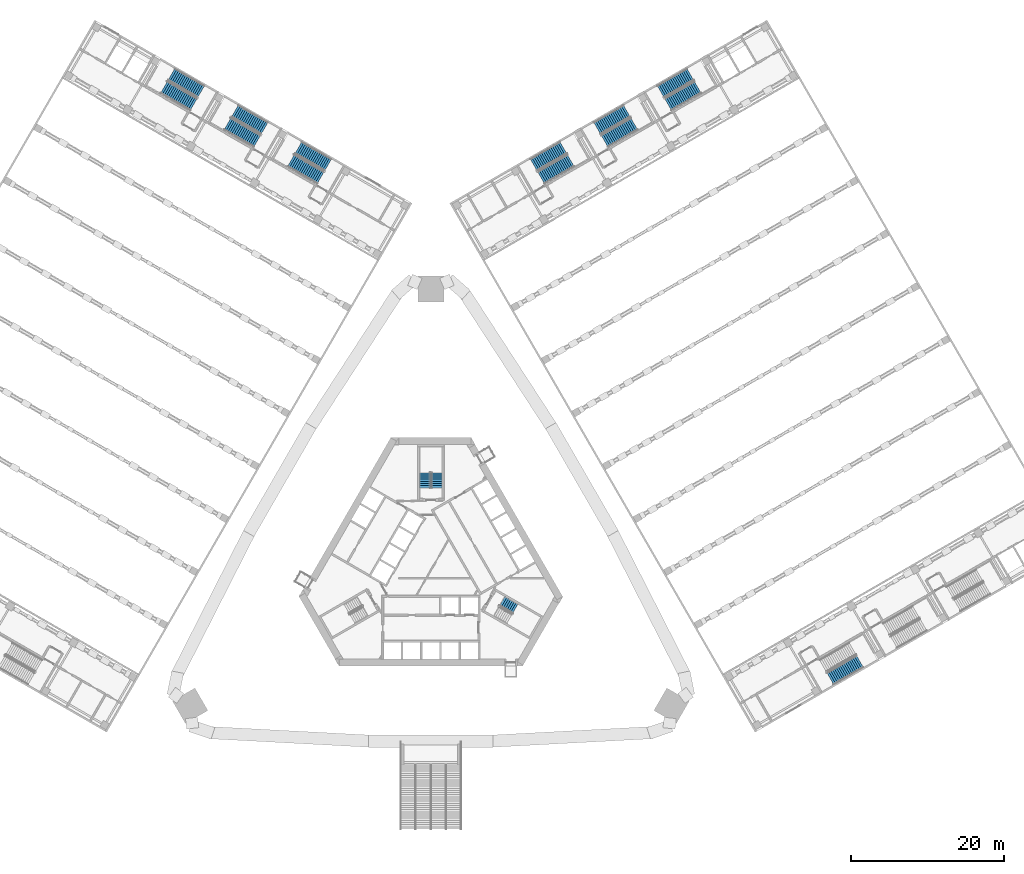
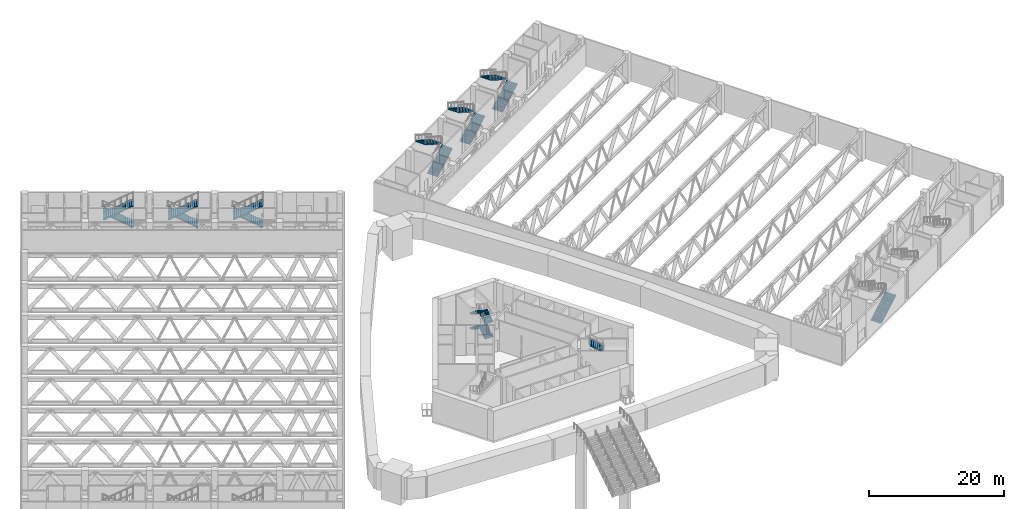
# One storey, part 25 of 37: 18 stair flights, 9 elements without a shape of their own.
"""IFC4 building model written with IfcOpenShell, lengths in metres."""

from ifc_helpers import new_model, si_unit, direction, frame, origin, place, context, subcontext, project, spatial, polyline, outline, extrude, material, type_object, element, aggregate, save


model = new_model("IFC4")

# Units and contexts
model_context = context("Model", 3, precision=1e-05, world=origin(), true_north=direction((0.0, 1.0)))
body_context = subcontext(model_context, "Body", "Model", "MODEL_VIEW")
ifc_project = project(units=[si_unit("LENGTHUNIT", "METRE"), si_unit("AREAUNIT", "SQUARE_METRE"), si_unit("VOLUMEUNIT", "CUBIC_METRE"), si_unit("PLANEANGLEUNIT", "RADIAN"), si_unit("MASSUNIT", "GRAM", prefix="KILO")], contexts=[model_context])

# Site, building, storey
site_placement = place(None, origin())
site = spatial("IfcSite", under=ifc_project, at=site_placement, CompositionType="ELEMENT")
building_placement = place(site_placement, origin())
building = spatial("IfcBuilding", under=site, at=building_placement, Name="Mestral Congress Tower", CompositionType="ELEMENT")
storey_placement = place(building_placement, frame((0.0, 0.0, 16.199951171875)))
storey = spatial("IfcBuildingStorey", under=building, at=storey_placement, Name="L03", CompositionType="ELEMENT", Elevation=16.199951171875)

# Stair, stair flight
ifc_material_1 = material(Name="Concrete C60/75", Category="concrete")
stair_type_1 = type_object("IfcStairType", Name="Exit stair 1400", PredefinedType="HALF_TURN_STAIR", material=ifc_material_1)
placement = place(storey_placement, origin())
stair_1 = element("IfcStair", 1, at=placement, inside=storey, type_object=stair_type_1, Name="L03 ST1", PredefinedType="HALF_TURN_STAIR")
stair_flight_type_1 = type_object("IfcStairFlightType", Name="Exit stair flight 1400", PredefinedType="STRAIGHT", material=ifc_material_1)
stair_flight_1_placement = place(storey_placement, frame((11.04833984375, -5.48388671875, 4.050048828125), z_axis=(0.0, 0.0, 1.0), x_axis=(-0.866025403784, 0.5, 0.0)))
stair_flight_1 = element("IfcStairFlight", 2, at=stair_flight_1_placement, type_object=stair_flight_type_1, Name="ST1 flight 4", NumberOfRisers=8, NumberOfTreads=7, PredefinedType="STRAIGHT", RiserHeight=0.16875, TreadLength=0.28, context=body_context, shape_type="SweptSolid", body=[
    extrude(outline(polyline([(0.0, 0.0), (0.0, 0.168701171875), (0.280029296875, 0.168701171875), (0.280029296875, 0.33740234375), (0.56005859375, 0.33740234375), (0.56005859375, 0.50634765625), (0.840087890625, 0.50634765625), (0.840087890625, 0.675048828125), (1.1201171875, 0.675048828125), (1.1201171875, 0.84375), (1.39990234375, 0.84375), (1.39990234375, 1.012451171875), (1.679931640625, 1.012451171875), (1.679931640625, 1.18115234375), (1.9599609375, 1.18115234375), (1.9599609375, 1.35009765625), (1.9599609375, 1.00634765625), (0.29052734375, 0.0), (0.0, 0.0)])), frame((0.0, 0.699951171875, 0.0), z_axis=(0.0, -1.0, 0.0), x_axis=(1.0, 0.0, 0.0)), (0.0, 0.0, 1.0), 0.700927734375),
    extrude(outline(polyline([(0.0, 0.0), (0.0, 0.168701171875), (0.280029296875, 0.168701171875), (0.280029296875, 0.33740234375), (0.56005859375, 0.33740234375), (0.56005859375, 0.50634765625), (0.840087890625, 0.50634765625), (0.840087890625, 0.675048828125), (1.1201171875, 0.675048828125), (1.1201171875, 0.84375), (1.39990234375, 0.84375), (1.39990234375, 1.012451171875), (1.679931640625, 1.012451171875), (1.679931640625, 1.18115234375), (1.9599609375, 1.18115234375), (1.9599609375, 1.35009765625), (1.9599609375, 1.00634765625), (0.29052734375, 0.0), (0.0, 0.0)])), frame((0.0, 0.0009765625, 0.0), z_axis=(0.0, -1.0, 0.0), x_axis=(1.0, 0.0, 0.0)), (0.0, 0.0, 1.0), 0.700927734375),
])
aggregate(stair_1, [stair_flight_1])

# Stair, stair flights
stair_2 = element("IfcStair", 3, at=placement, inside=storey, type_object=stair_type_1, Name="L03 ST2", PredefinedType="HALF_TURN_STAIR")
stair_flight_2_placement = place(storey_placement, frame((0.77490234375, 10.35009765625, 0.0), z_axis=(0.0, 0.0, 1.0), x_axis=(0.0, 1.0, 0.0)))
stair_flight_2 = element("IfcStairFlight", 4, at=stair_flight_2_placement, type_object=stair_flight_type_1, Name="ST2 flight 1", NumberOfRisers=8, NumberOfTreads=7, PredefinedType="STRAIGHT", RiserHeight=0.16875, TreadLength=0.28, context=body_context, shape_type="SweptSolid", body=[
    extrude(outline(polyline([(0.0, 0.0), (0.0, 0.168701171875), (0.280029296875, 0.168701171875), (0.280029296875, 0.33740234375), (0.56005859375, 0.33740234375), (0.56005859375, 0.50634765625), (0.840087890625, 0.50634765625), (0.840087890625, 0.675048828125), (1.1201171875, 0.675048828125), (1.1201171875, 0.84375), (1.39990234375, 0.84375), (1.39990234375, 1.012451171875), (1.679931640625, 1.012451171875), (1.679931640625, 1.18115234375), (1.9599609375, 1.18115234375), (1.9599609375, 1.35009765625), (1.9599609375, 1.00634765625), (0.29052734375, 0.0), (0.0, 0.0)])), frame((0.0, 0.699951171875, 0.0), z_axis=(0.0, -1.0, 0.0), x_axis=(1.0, 0.0, 0.0)), (0.0, 0.0, 1.0), 0.700927734375),
    extrude(outline(polyline([(0.0, 0.0), (0.0, 0.168701171875), (0.280029296875, 0.168701171875), (0.280029296875, 0.33740234375), (0.56005859375, 0.33740234375), (0.56005859375, 0.50634765625), (0.840087890625, 0.50634765625), (0.840087890625, 0.675048828125), (1.1201171875, 0.675048828125), (1.1201171875, 0.84375), (1.39990234375, 0.84375), (1.39990234375, 1.012451171875), (1.679931640625, 1.012451171875), (1.679931640625, 1.18115234375), (1.9599609375, 1.18115234375), (1.9599609375, 1.35009765625), (1.9599609375, 1.00634765625), (0.29052734375, 0.0), (0.0, 0.0)])), frame((0.0, 0.0009765625, 0.0), z_axis=(0.0, -1.0, 0.0), x_axis=(1.0, 0.0, 0.0)), (0.0, 0.0, 1.0), 0.700927734375),
])
stair_flight_3_placement = place(storey_placement, frame((-0.77490234375, 12.31005859375, 1.35009765625), z_axis=(0.0, 0.0, 1.0), x_axis=(0.0, -1.0, 0.0)))
stair_flight_3 = element("IfcStairFlight", 5, at=stair_flight_3_placement, type_object=stair_flight_type_1, Name="ST2 flight 2", NumberOfRisers=8, NumberOfTreads=7, PredefinedType="STRAIGHT", RiserHeight=0.16875, TreadLength=0.28, context=body_context, shape_type="SweptSolid", body=[
    extrude(outline(polyline([(0.0, 0.0), (0.0, 0.168701171875), (0.280029296875, 0.168701171875), (0.280029296875, 0.33740234375), (0.56005859375, 0.33740234375), (0.56005859375, 0.50634765625), (0.840087890625, 0.50634765625), (0.840087890625, 0.675048828125), (1.1201171875, 0.675048828125), (1.1201171875, 0.84375), (1.39990234375, 0.84375), (1.39990234375, 1.012451171875), (1.679931640625, 1.012451171875), (1.679931640625, 1.18115234375), (1.9599609375, 1.18115234375), (1.9599609375, 1.35009765625), (1.9599609375, 1.00634765625), (0.29052734375, 0.0), (0.0, 0.0)])), frame((0.0, 0.699951171875, 0.0), z_axis=(0.0, -1.0, 0.0), x_axis=(1.0, 0.0, 0.0)), (0.0, 0.0, 1.0), 0.700927734375),
    extrude(outline(polyline([(0.0, 0.0), (0.0, 0.168701171875), (0.280029296875, 0.168701171875), (0.280029296875, 0.33740234375), (0.56005859375, 0.33740234375), (0.56005859375, 0.50634765625), (0.840087890625, 0.50634765625), (0.840087890625, 0.675048828125), (1.1201171875, 0.675048828125), (1.1201171875, 0.84375), (1.39990234375, 0.84375), (1.39990234375, 1.012451171875), (1.679931640625, 1.012451171875), (1.679931640625, 1.18115234375), (1.9599609375, 1.18115234375), (1.9599609375, 1.35009765625), (1.9599609375, 1.00634765625), (0.29052734375, 0.0), (0.0, 0.0)])), frame((0.0, 0.0009765625, 0.0), z_axis=(0.0, -1.0, 0.0), x_axis=(1.0, 0.0, 0.0)), (0.0, 0.0, 1.0), 0.700927734375),
])
stair_flight_4_placement = place(storey_placement, frame((0.77490234375, 10.35009765625, 2.699951171875), z_axis=(0.0, 0.0, 1.0), x_axis=(0.0, 1.0, 0.0)))
stair_flight_4 = element("IfcStairFlight", 6, at=stair_flight_4_placement, type_object=stair_flight_type_1, Name="ST2 flight 3", NumberOfRisers=8, NumberOfTreads=7, PredefinedType="STRAIGHT", RiserHeight=0.16875, TreadLength=0.28, context=body_context, shape_type="SweptSolid", body=[
    extrude(outline(polyline([(0.0, 0.0), (0.0, 0.168701171875), (0.280029296875, 0.168701171875), (0.280029296875, 0.33740234375), (0.56005859375, 0.33740234375), (0.56005859375, 0.50634765625), (0.840087890625, 0.50634765625), (0.840087890625, 0.675048828125), (1.1201171875, 0.675048828125), (1.1201171875, 0.84375), (1.39990234375, 0.84375), (1.39990234375, 1.012451171875), (1.679931640625, 1.012451171875), (1.679931640625, 1.18115234375), (1.9599609375, 1.18115234375), (1.9599609375, 1.35009765625), (1.9599609375, 1.00634765625), (0.29052734375, 0.0), (0.0, 0.0)])), frame((0.0, 0.699951171875, 0.0), z_axis=(0.0, -1.0, 0.0), x_axis=(1.0, 0.0, 0.0)), (0.0, 0.0, 1.0), 0.700927734375),
    extrude(outline(polyline([(0.0, 0.0), (0.0, 0.168701171875), (0.280029296875, 0.168701171875), (0.280029296875, 0.33740234375), (0.56005859375, 0.33740234375), (0.56005859375, 0.50634765625), (0.840087890625, 0.50634765625), (0.840087890625, 0.675048828125), (1.1201171875, 0.675048828125), (1.1201171875, 0.84375), (1.39990234375, 0.84375), (1.39990234375, 1.012451171875), (1.679931640625, 1.012451171875), (1.679931640625, 1.18115234375), (1.9599609375, 1.18115234375), (1.9599609375, 1.35009765625), (1.9599609375, 1.00634765625), (0.29052734375, 0.0), (0.0, 0.0)])), frame((0.0, 0.0009765625, 0.0), z_axis=(0.0, -1.0, 0.0), x_axis=(1.0, 0.0, 0.0)), (0.0, 0.0, 1.0), 0.700927734375),
])
stair_flight_5_placement = place(storey_placement, frame((-0.77490234375, 12.31005859375, 4.050048828125), z_axis=(0.0, 0.0, 1.0), x_axis=(0.0, -1.0, 0.0)))
stair_flight_5 = element("IfcStairFlight", 7, at=stair_flight_5_placement, type_object=stair_flight_type_1, Name="ST2 flight 4", NumberOfRisers=8, NumberOfTreads=7, PredefinedType="STRAIGHT", RiserHeight=0.16875, TreadLength=0.28, context=body_context, shape_type="SweptSolid", body=[
    extrude(outline(polyline([(0.0, 0.0), (0.0, 0.168701171875), (0.280029296875, 0.168701171875), (0.280029296875, 0.33740234375), (0.56005859375, 0.33740234375), (0.56005859375, 0.50634765625), (0.840087890625, 0.50634765625), (0.840087890625, 0.675048828125), (1.1201171875, 0.675048828125), (1.1201171875, 0.84375), (1.39990234375, 0.84375), (1.39990234375, 1.012451171875), (1.679931640625, 1.012451171875), (1.679931640625, 1.18115234375), (1.9599609375, 1.18115234375), (1.9599609375, 1.35009765625), (1.9599609375, 1.00634765625), (0.29052734375, 0.0), (0.0, 0.0)])), frame((0.0, 0.699951171875, 0.0), z_axis=(0.0, -1.0, 0.0), x_axis=(1.0, 0.0, 0.0)), (0.0, 0.0, 1.0), 0.700927734375),
    extrude(outline(polyline([(0.0, 0.0), (0.0, 0.168701171875), (0.280029296875, 0.168701171875), (0.280029296875, 0.33740234375), (0.56005859375, 0.33740234375), (0.56005859375, 0.50634765625), (0.840087890625, 0.50634765625), (0.840087890625, 0.675048828125), (1.1201171875, 0.675048828125), (1.1201171875, 0.84375), (1.39990234375, 0.84375), (1.39990234375, 1.012451171875), (1.679931640625, 1.012451171875), (1.679931640625, 1.18115234375), (1.9599609375, 1.18115234375), (1.9599609375, 1.35009765625), (1.9599609375, 1.00634765625), (0.29052734375, 0.0), (0.0, 0.0)])), frame((0.0, 0.0009765625, 0.0), z_axis=(0.0, -1.0, 0.0), x_axis=(1.0, 0.0, 0.0)), (0.0, 0.0, 1.0), 0.700927734375),
])
aggregate(stair_2, [stair_flight_2, stair_flight_3, stair_flight_4, stair_flight_5])

# Stair, stair flight
ifc_material_2 = material(Name="Concrete C40/50", Category="concrete")
stair_type_2 = type_object("IfcStairType", Name="Podium exit stair 1800", PredefinedType="HALF_TURN_STAIR", material=ifc_material_2)
stair_3 = element("IfcStair", 8, at=placement, inside=storey, type_object=stair_type_2, Name="L03 Exit stair E1", PredefinedType="HALF_TURN_STAIR")
stair_flight_type_2 = type_object("IfcStairFlightType", Name="Podium exit stair flight 1800", PredefinedType="STRAIGHT", material=ifc_material_2)
stair_flight_6_placement = place(storey_placement, frame((52.31494140625, -14.656005859375, 0.0), z_axis=(0.0, 0.0, 1.0), x_axis=(0.866025403784, 0.5, 0.0)))
stair_flight_6 = element("IfcStairFlight", 9, at=stair_flight_6_placement, type_object=stair_flight_type_2, Name="PS-E1 flight 1", NumberOfRisers=17, NumberOfTreads=16, PredefinedType="STRAIGHT", RiserHeight=0.158823529, TreadLength=0.28, context=body_context, shape_type="SweptSolid", body=[
    extrude(outline(polyline([(0.0, 0.0), (0.0, 0.158935546875), (0.280029296875, 0.158935546875), (0.280029296875, 0.317626953125), (0.56005859375, 0.317626953125), (0.56005859375, 0.4765625), (0.840087890625, 0.4765625), (0.840087890625, 0.63525390625), (1.1201171875, 0.63525390625), (1.1201171875, 0.794189453125), (1.39990234375, 0.794189453125), (1.39990234375, 0.952880859375), (1.679931640625, 0.952880859375), (1.679931640625, 1.11181640625), (1.9599609375, 1.11181640625), (1.9599609375, 1.2705078125), (2.239990234375, 1.2705078125), (2.239990234375, 1.429443359375), (2.52001953125, 1.429443359375), (2.52001953125, 1.588134765625), (2.800048828125, 1.588134765625), (2.800048828125, 1.7470703125), (3.080078125, 1.7470703125), (3.080078125, 1.90576171875), (3.360107421875, 1.90576171875), (3.360107421875, 2.064697265625), (3.639892578125, 2.064697265625), (3.639892578125, 2.2236328125), (3.919921875, 2.2236328125), (3.919921875, 2.38232421875), (4.199951171875, 2.38232421875), (4.199951171875, 2.541259765625), (4.47998046875, 2.541259765625), (4.47998046875, 2.699951171875), (4.47998046875, 2.368896484375), (0.3037109375, 0.0), (0.0, 0.0)])), frame((0.0, 0.89990234375, 0.0), z_axis=(0.0, -1.0, 0.0), x_axis=(1.0, 0.0, 0.0)), (0.0, 0.0, 1.0), 1.800048828125),
])
aggregate(stair_3, [stair_flight_6])

# Stair, stair flights
stair_4 = element("IfcStair", 10, at=placement, inside=storey, type_object=stair_type_2, Name="L03 Exit stair E4", PredefinedType="HALF_TURN_STAIR")
stair_flight_7_placement = place(storey_placement, frame((14.43994140625, 50.9453125, 0.0), z_axis=(0.0, 0.0, 1.0), x_axis=(0.866025403784, 0.5, 0.0)))
stair_flight_7 = element("IfcStairFlight", 11, at=stair_flight_7_placement, type_object=stair_flight_type_2, Name="PS-E4 flight 1", NumberOfRisers=17, NumberOfTreads=16, PredefinedType="STRAIGHT", RiserHeight=0.158823529, TreadLength=0.28, context=body_context, shape_type="SweptSolid", body=[
    extrude(outline(polyline([(0.0, 0.0), (0.0, 0.158935546875), (0.280029296875, 0.158935546875), (0.280029296875, 0.317626953125), (0.56005859375, 0.317626953125), (0.56005859375, 0.4765625), (0.840087890625, 0.4765625), (0.840087890625, 0.63525390625), (1.1201171875, 0.63525390625), (1.1201171875, 0.794189453125), (1.39990234375, 0.794189453125), (1.39990234375, 0.952880859375), (1.679931640625, 0.952880859375), (1.679931640625, 1.11181640625), (1.9599609375, 1.11181640625), (1.9599609375, 1.2705078125), (2.239990234375, 1.2705078125), (2.239990234375, 1.429443359375), (2.52001953125, 1.429443359375), (2.52001953125, 1.588134765625), (2.800048828125, 1.588134765625), (2.800048828125, 1.7470703125), (3.080078125, 1.7470703125), (3.080078125, 1.90576171875), (3.360107421875, 1.90576171875), (3.360107421875, 2.064697265625), (3.639892578125, 2.064697265625), (3.639892578125, 2.2236328125), (3.919921875, 2.2236328125), (3.919921875, 2.38232421875), (4.199951171875, 2.38232421875), (4.199951171875, 2.541259765625), (4.47998046875, 2.541259765625), (4.47998046875, 2.699951171875), (4.47998046875, 2.368896484375), (0.3037109375, 0.0), (0.0, 0.0)])), frame((0.0, 0.89990234375, 0.0), z_axis=(0.0, -1.0, 0.0), x_axis=(1.0, 0.0, 0.0)), (0.0, 0.0, 1.0), 1.800048828125),
])
stair_flight_8_placement = place(storey_placement, frame((17.3447265625, 54.8740234375, 2.699951171875), z_axis=(0.0, 0.0, 1.0), x_axis=(-0.866025403784, -0.5, 0.0)))
stair_flight_8 = element("IfcStairFlight", 12, at=stair_flight_8_placement, type_object=stair_flight_type_2, Name="PS-E4 flight 2", NumberOfRisers=17, NumberOfTreads=16, PredefinedType="STRAIGHT", RiserHeight=0.158823529, TreadLength=0.28, context=body_context, shape_type="SweptSolid", body=[
    extrude(outline(polyline([(0.0, 0.0), (0.0, 0.158935546875), (0.280029296875, 0.158935546875), (0.280029296875, 0.317626953125), (0.56005859375, 0.317626953125), (0.56005859375, 0.4765625), (0.840087890625, 0.4765625), (0.840087890625, 0.63525390625), (1.1201171875, 0.63525390625), (1.1201171875, 0.794189453125), (1.39990234375, 0.794189453125), (1.39990234375, 0.952880859375), (1.679931640625, 0.952880859375), (1.679931640625, 1.11181640625), (1.9599609375, 1.11181640625), (1.9599609375, 1.2705078125), (2.239990234375, 1.2705078125), (2.239990234375, 1.429443359375), (2.52001953125, 1.429443359375), (2.52001953125, 1.588134765625), (2.800048828125, 1.588134765625), (2.800048828125, 1.7470703125), (3.080078125, 1.7470703125), (3.080078125, 1.90576171875), (3.360107421875, 1.90576171875), (3.360107421875, 2.064697265625), (3.639892578125, 2.064697265625), (3.639892578125, 2.2236328125), (3.919921875, 2.2236328125), (3.919921875, 2.38232421875), (4.199951171875, 2.38232421875), (4.199951171875, 2.541259765625), (4.47998046875, 2.541259765625), (4.47998046875, 2.699951171875), (4.47998046875, 2.368896484375), (0.3037109375, 0.0), (0.0, 0.0)])), frame((0.0, 0.89990234375, 0.0), z_axis=(0.0, -1.0, 0.0), x_axis=(1.0, 0.0, 0.0)), (0.0, 0.0, 1.0), 1.800048828125),
])
aggregate(stair_4, [stair_flight_7, stair_flight_8])

stair_5 = element("IfcStair", 13, at=placement, inside=storey, type_object=stair_type_2, Name="L03 Exit stair E5", PredefinedType="HALF_TURN_STAIR")
stair_flight_9_placement = place(storey_placement, frame((22.753662109375, 55.745361328125, 0.0), z_axis=(0.0, 0.0, 1.0), x_axis=(0.866025403784, 0.5, 0.0)))
stair_flight_9 = element("IfcStairFlight", 14, at=stair_flight_9_placement, type_object=stair_flight_type_2, Name="PS-E5 flight 1", NumberOfRisers=17, NumberOfTreads=16, PredefinedType="STRAIGHT", RiserHeight=0.158823529, TreadLength=0.28, context=body_context, shape_type="SweptSolid", body=[
    extrude(outline(polyline([(0.0, 0.0), (0.0, 0.158935546875), (0.280029296875, 0.158935546875), (0.280029296875, 0.317626953125), (0.56005859375, 0.317626953125), (0.56005859375, 0.4765625), (0.840087890625, 0.4765625), (0.840087890625, 0.63525390625), (1.1201171875, 0.63525390625), (1.1201171875, 0.794189453125), (1.39990234375, 0.794189453125), (1.39990234375, 0.952880859375), (1.679931640625, 0.952880859375), (1.679931640625, 1.11181640625), (1.9599609375, 1.11181640625), (1.9599609375, 1.2705078125), (2.239990234375, 1.2705078125), (2.239990234375, 1.429443359375), (2.52001953125, 1.429443359375), (2.52001953125, 1.588134765625), (2.800048828125, 1.588134765625), (2.800048828125, 1.7470703125), (3.080078125, 1.7470703125), (3.080078125, 1.90576171875), (3.360107421875, 1.90576171875), (3.360107421875, 2.064697265625), (3.639892578125, 2.064697265625), (3.639892578125, 2.2236328125), (3.919921875, 2.2236328125), (3.919921875, 2.38232421875), (4.199951171875, 2.38232421875), (4.199951171875, 2.541259765625), (4.47998046875, 2.541259765625), (4.47998046875, 2.699951171875), (4.47998046875, 2.368896484375), (0.3037109375, 0.0), (0.0, 0.0)])), frame((0.0, 0.89990234375, 0.0), z_axis=(0.0, -1.0, 0.0), x_axis=(1.0, 0.0, 0.0)), (0.0, 0.0, 1.0), 1.800048828125),
])
stair_flight_10_placement = place(storey_placement, frame((25.658447265625, 59.674072265625, 2.699951171875), z_axis=(0.0, 0.0, 1.0), x_axis=(-0.866025403784, -0.5, 0.0)))
stair_flight_10 = element("IfcStairFlight", 15, at=stair_flight_10_placement, type_object=stair_flight_type_2, Name="PS-E5 flight 2", NumberOfRisers=17, NumberOfTreads=16, PredefinedType="STRAIGHT", RiserHeight=0.158823529, TreadLength=0.28, context=body_context, shape_type="SweptSolid", body=[
    extrude(outline(polyline([(0.0, 0.0), (0.0, 0.158935546875), (0.280029296875, 0.158935546875), (0.280029296875, 0.317626953125), (0.56005859375, 0.317626953125), (0.56005859375, 0.4765625), (0.840087890625, 0.4765625), (0.840087890625, 0.63525390625), (1.1201171875, 0.63525390625), (1.1201171875, 0.794189453125), (1.39990234375, 0.794189453125), (1.39990234375, 0.952880859375), (1.679931640625, 0.952880859375), (1.679931640625, 1.11181640625), (1.9599609375, 1.11181640625), (1.9599609375, 1.2705078125), (2.239990234375, 1.2705078125), (2.239990234375, 1.429443359375), (2.52001953125, 1.429443359375), (2.52001953125, 1.588134765625), (2.800048828125, 1.588134765625), (2.800048828125, 1.7470703125), (3.080078125, 1.7470703125), (3.080078125, 1.90576171875), (3.360107421875, 1.90576171875), (3.360107421875, 2.064697265625), (3.639892578125, 2.064697265625), (3.639892578125, 2.2236328125), (3.919921875, 2.2236328125), (3.919921875, 2.38232421875), (4.199951171875, 2.38232421875), (4.199951171875, 2.541259765625), (4.47998046875, 2.541259765625), (4.47998046875, 2.699951171875), (4.47998046875, 2.368896484375), (0.3037109375, 0.0), (0.0, 0.0)])), frame((0.0, 0.89990234375, 0.0), z_axis=(0.0, -1.0, 0.0), x_axis=(1.0, 0.0, 0.0)), (0.0, 0.0, 1.0), 1.800048828125),
])
aggregate(stair_5, [stair_flight_9, stair_flight_10])

stair_6 = element("IfcStair", 16, at=placement, inside=storey, type_object=stair_type_2, Name="L03 Exit stair E6", PredefinedType="HALF_TURN_STAIR")
stair_flight_11_placement = place(storey_placement, frame((31.067626953125, 60.54541015625, 0.0), z_axis=(0.0, 0.0, 1.0), x_axis=(0.866025403784, 0.5, 0.0)))
stair_flight_11 = element("IfcStairFlight", 17, at=stair_flight_11_placement, type_object=stair_flight_type_2, Name="PS-E6 flight 1", NumberOfRisers=17, NumberOfTreads=16, PredefinedType="STRAIGHT", RiserHeight=0.158823529, TreadLength=0.28, context=body_context, shape_type="SweptSolid", body=[
    extrude(outline(polyline([(0.0, 0.0), (0.0, 0.158935546875), (0.280029296875, 0.158935546875), (0.280029296875, 0.317626953125), (0.56005859375, 0.317626953125), (0.56005859375, 0.4765625), (0.840087890625, 0.4765625), (0.840087890625, 0.63525390625), (1.1201171875, 0.63525390625), (1.1201171875, 0.794189453125), (1.39990234375, 0.794189453125), (1.39990234375, 0.952880859375), (1.679931640625, 0.952880859375), (1.679931640625, 1.11181640625), (1.9599609375, 1.11181640625), (1.9599609375, 1.2705078125), (2.239990234375, 1.2705078125), (2.239990234375, 1.429443359375), (2.52001953125, 1.429443359375), (2.52001953125, 1.588134765625), (2.800048828125, 1.588134765625), (2.800048828125, 1.7470703125), (3.080078125, 1.7470703125), (3.080078125, 1.90576171875), (3.360107421875, 1.90576171875), (3.360107421875, 2.064697265625), (3.639892578125, 2.064697265625), (3.639892578125, 2.2236328125), (3.919921875, 2.2236328125), (3.919921875, 2.38232421875), (4.199951171875, 2.38232421875), (4.199951171875, 2.541259765625), (4.47998046875, 2.541259765625), (4.47998046875, 2.699951171875), (4.47998046875, 2.368896484375), (0.3037109375, 0.0), (0.0, 0.0)])), frame((0.0, 0.89990234375, 0.0), z_axis=(0.0, -1.0, 0.0), x_axis=(1.0, 0.0, 0.0)), (0.0, 0.0, 1.0), 1.800048828125),
])
stair_flight_12_placement = place(storey_placement, frame((33.972412109375, 64.47412109375, 2.699951171875), z_axis=(0.0, 0.0, 1.0), x_axis=(-0.866025403784, -0.5, 0.0)))
stair_flight_12 = element("IfcStairFlight", 18, at=stair_flight_12_placement, type_object=stair_flight_type_2, Name="PS-E6 flight 2", NumberOfRisers=17, NumberOfTreads=16, PredefinedType="STRAIGHT", RiserHeight=0.158823529, TreadLength=0.28, context=body_context, shape_type="SweptSolid", body=[
    extrude(outline(polyline([(0.0, 0.0), (0.0, 0.158935546875), (0.280029296875, 0.158935546875), (0.280029296875, 0.317626953125), (0.56005859375, 0.317626953125), (0.56005859375, 0.4765625), (0.840087890625, 0.4765625), (0.840087890625, 0.63525390625), (1.1201171875, 0.63525390625), (1.1201171875, 0.794189453125), (1.39990234375, 0.794189453125), (1.39990234375, 0.952880859375), (1.679931640625, 0.952880859375), (1.679931640625, 1.11181640625), (1.9599609375, 1.11181640625), (1.9599609375, 1.2705078125), (2.239990234375, 1.2705078125), (2.239990234375, 1.429443359375), (2.52001953125, 1.429443359375), (2.52001953125, 1.588134765625), (2.800048828125, 1.588134765625), (2.800048828125, 1.7470703125), (3.080078125, 1.7470703125), (3.080078125, 1.90576171875), (3.360107421875, 1.90576171875), (3.360107421875, 2.064697265625), (3.639892578125, 2.064697265625), (3.639892578125, 2.2236328125), (3.919921875, 2.2236328125), (3.919921875, 2.38232421875), (4.199951171875, 2.38232421875), (4.199951171875, 2.541259765625), (4.47998046875, 2.541259765625), (4.47998046875, 2.699951171875), (4.47998046875, 2.368896484375), (0.3037109375, 0.0), (0.0, 0.0)])), frame((0.0, 0.89990234375, 0.0), z_axis=(0.0, -1.0, 0.0), x_axis=(1.0, 0.0, 0.0)), (0.0, 0.0, 1.0), 1.800048828125),
])
aggregate(stair_6, [stair_flight_11, stair_flight_12])

stair_7 = element("IfcStair", 19, at=placement, inside=storey, type_object=stair_type_2, Name="L03 Exit stair W1", PredefinedType="HALF_TURN_STAIR")
stair_flight_13_placement = place(storey_placement, frame((-13.46484375, 52.634033203125, 0.0), z_axis=(0.0, 0.0, 1.0), x_axis=(-0.866025403784, 0.5, 0.0)))
stair_flight_13 = element("IfcStairFlight", 20, at=stair_flight_13_placement, type_object=stair_flight_type_2, Name="PS-W1 flight 1", NumberOfRisers=17, NumberOfTreads=16, PredefinedType="STRAIGHT", RiserHeight=0.158823529, TreadLength=0.28, context=body_context, shape_type="SweptSolid", body=[
    extrude(outline(polyline([(0.0, 0.0), (0.0, 0.158935546875), (0.280029296875, 0.158935546875), (0.280029296875, 0.317626953125), (0.56005859375, 0.317626953125), (0.56005859375, 0.4765625), (0.840087890625, 0.4765625), (0.840087890625, 0.63525390625), (1.1201171875, 0.63525390625), (1.1201171875, 0.794189453125), (1.39990234375, 0.794189453125), (1.39990234375, 0.952880859375), (1.679931640625, 0.952880859375), (1.679931640625, 1.11181640625), (1.9599609375, 1.11181640625), (1.9599609375, 1.2705078125), (2.239990234375, 1.2705078125), (2.239990234375, 1.429443359375), (2.52001953125, 1.429443359375), (2.52001953125, 1.588134765625), (2.800048828125, 1.588134765625), (2.800048828125, 1.7470703125), (3.080078125, 1.7470703125), (3.080078125, 1.90576171875), (3.360107421875, 1.90576171875), (3.360107421875, 2.064697265625), (3.639892578125, 2.064697265625), (3.639892578125, 2.2236328125), (3.919921875, 2.2236328125), (3.919921875, 2.38232421875), (4.199951171875, 2.38232421875), (4.199951171875, 2.541259765625), (4.47998046875, 2.541259765625), (4.47998046875, 2.699951171875), (4.47998046875, 2.368896484375), (0.3037109375, 0.0), (0.0, 0.0)])), frame((0.0, 0.89990234375, 0.0), z_axis=(0.0, -1.0, 0.0), x_axis=(1.0, 0.0, 0.0)), (0.0, 0.0, 1.0), 1.800048828125),
])
stair_flight_14_placement = place(storey_placement, frame((-18.31982421875, 53.185302734375, 2.699951171875), z_axis=(0.0, 0.0, 1.0), x_axis=(0.866025403784, -0.5, 0.0)))
stair_flight_14 = element("IfcStairFlight", 21, at=stair_flight_14_placement, type_object=stair_flight_type_2, Name="PS-W1 flight 2", NumberOfRisers=17, NumberOfTreads=16, PredefinedType="STRAIGHT", RiserHeight=0.158823529, TreadLength=0.28, context=body_context, shape_type="SweptSolid", body=[
    extrude(outline(polyline([(0.0, 0.0), (0.0, 0.158935546875), (0.280029296875, 0.158935546875), (0.280029296875, 0.317626953125), (0.56005859375, 0.317626953125), (0.56005859375, 0.4765625), (0.840087890625, 0.4765625), (0.840087890625, 0.63525390625), (1.1201171875, 0.63525390625), (1.1201171875, 0.794189453125), (1.39990234375, 0.794189453125), (1.39990234375, 0.952880859375), (1.679931640625, 0.952880859375), (1.679931640625, 1.11181640625), (1.9599609375, 1.11181640625), (1.9599609375, 1.2705078125), (2.239990234375, 1.2705078125), (2.239990234375, 1.429443359375), (2.52001953125, 1.429443359375), (2.52001953125, 1.588134765625), (2.800048828125, 1.588134765625), (2.800048828125, 1.7470703125), (3.080078125, 1.7470703125), (3.080078125, 1.90576171875), (3.360107421875, 1.90576171875), (3.360107421875, 2.064697265625), (3.639892578125, 2.064697265625), (3.639892578125, 2.2236328125), (3.919921875, 2.2236328125), (3.919921875, 2.38232421875), (4.199951171875, 2.38232421875), (4.199951171875, 2.541259765625), (4.47998046875, 2.541259765625), (4.47998046875, 2.699951171875), (4.47998046875, 2.368896484375), (0.3037109375, 0.0), (0.0, 0.0)])), frame((0.0, 0.89990234375, 0.0), z_axis=(0.0, -1.0, 0.0), x_axis=(1.0, 0.0, 0.0)), (0.0, 0.0, 1.0), 1.800048828125),
])
aggregate(stair_7, [stair_flight_13, stair_flight_14])

stair_8 = element("IfcStair", 22, at=placement, inside=storey, type_object=stair_type_2, Name="L03 Exit stair W2", PredefinedType="HALF_TURN_STAIR")
stair_flight_15_placement = place(storey_placement, frame((-21.77880859375, 57.43408203125, 0.0), z_axis=(0.0, 0.0, 1.0), x_axis=(-0.866025403784, 0.5, 0.0)))
stair_flight_15 = element("IfcStairFlight", 23, at=stair_flight_15_placement, type_object=stair_flight_type_2, Name="PS-W2 flight 1", NumberOfRisers=17, NumberOfTreads=16, PredefinedType="STRAIGHT", RiserHeight=0.158823529, TreadLength=0.28, context=body_context, shape_type="SweptSolid", body=[
    extrude(outline(polyline([(0.0, 0.0), (0.0, 0.158935546875), (0.280029296875, 0.158935546875), (0.280029296875, 0.317626953125), (0.56005859375, 0.317626953125), (0.56005859375, 0.4765625), (0.840087890625, 0.4765625), (0.840087890625, 0.63525390625), (1.1201171875, 0.63525390625), (1.1201171875, 0.794189453125), (1.39990234375, 0.794189453125), (1.39990234375, 0.952880859375), (1.679931640625, 0.952880859375), (1.679931640625, 1.11181640625), (1.9599609375, 1.11181640625), (1.9599609375, 1.2705078125), (2.239990234375, 1.2705078125), (2.239990234375, 1.429443359375), (2.52001953125, 1.429443359375), (2.52001953125, 1.588134765625), (2.800048828125, 1.588134765625), (2.800048828125, 1.7470703125), (3.080078125, 1.7470703125), (3.080078125, 1.90576171875), (3.360107421875, 1.90576171875), (3.360107421875, 2.064697265625), (3.639892578125, 2.064697265625), (3.639892578125, 2.2236328125), (3.919921875, 2.2236328125), (3.919921875, 2.38232421875), (4.199951171875, 2.38232421875), (4.199951171875, 2.541259765625), (4.47998046875, 2.541259765625), (4.47998046875, 2.699951171875), (4.47998046875, 2.368896484375), (0.3037109375, 0.0), (0.0, 0.0)])), frame((0.0, 0.89990234375, 0.0), z_axis=(0.0, -1.0, 0.0), x_axis=(1.0, 0.0, 0.0)), (0.0, 0.0, 1.0), 1.800048828125),
])
stair_flight_16_placement = place(storey_placement, frame((-26.633544921875, 57.9853515625, 2.699951171875), z_axis=(0.0, 0.0, 1.0), x_axis=(0.866025403784, -0.5, 0.0)))
stair_flight_16 = element("IfcStairFlight", 24, at=stair_flight_16_placement, type_object=stair_flight_type_2, Name="PS-W2 flight 2", NumberOfRisers=17, NumberOfTreads=16, PredefinedType="STRAIGHT", RiserHeight=0.158823529, TreadLength=0.28, context=body_context, shape_type="SweptSolid", body=[
    extrude(outline(polyline([(0.0, 0.0), (0.0, 0.158935546875), (0.280029296875, 0.158935546875), (0.280029296875, 0.317626953125), (0.56005859375, 0.317626953125), (0.56005859375, 0.4765625), (0.840087890625, 0.4765625), (0.840087890625, 0.63525390625), (1.1201171875, 0.63525390625), (1.1201171875, 0.794189453125), (1.39990234375, 0.794189453125), (1.39990234375, 0.952880859375), (1.679931640625, 0.952880859375), (1.679931640625, 1.11181640625), (1.9599609375, 1.11181640625), (1.9599609375, 1.2705078125), (2.239990234375, 1.2705078125), (2.239990234375, 1.429443359375), (2.52001953125, 1.429443359375), (2.52001953125, 1.588134765625), (2.800048828125, 1.588134765625), (2.800048828125, 1.7470703125), (3.080078125, 1.7470703125), (3.080078125, 1.90576171875), (3.360107421875, 1.90576171875), (3.360107421875, 2.064697265625), (3.639892578125, 2.064697265625), (3.639892578125, 2.2236328125), (3.919921875, 2.2236328125), (3.919921875, 2.38232421875), (4.199951171875, 2.38232421875), (4.199951171875, 2.541259765625), (4.47998046875, 2.541259765625), (4.47998046875, 2.699951171875), (4.47998046875, 2.368896484375), (0.3037109375, 0.0), (0.0, 0.0)])), frame((0.0, 0.89990234375, 0.0), z_axis=(0.0, -1.0, 0.0), x_axis=(1.0, 0.0, 0.0)), (0.0, 0.0, 1.0), 1.800048828125),
])
aggregate(stair_8, [stair_flight_15, stair_flight_16])

stair_9 = element("IfcStair", 25, at=placement, inside=storey, type_object=stair_type_2, Name="L03 Exit stair W3", PredefinedType="HALF_TURN_STAIR")
stair_flight_17_placement = place(storey_placement, frame((-30.092529296875, 62.234130859375, 0.0), z_axis=(0.0, 0.0, 1.0), x_axis=(-0.866025403784, 0.5, 0.0)))
stair_flight_17 = element("IfcStairFlight", 26, at=stair_flight_17_placement, type_object=stair_flight_type_2, Name="PS-W3 flight 1", NumberOfRisers=17, NumberOfTreads=16, PredefinedType="STRAIGHT", RiserHeight=0.158823529, TreadLength=0.28, context=body_context, shape_type="SweptSolid", body=[
    extrude(outline(polyline([(0.0, 0.0), (0.0, 0.158935546875), (0.280029296875, 0.158935546875), (0.280029296875, 0.317626953125), (0.56005859375, 0.317626953125), (0.56005859375, 0.4765625), (0.840087890625, 0.4765625), (0.840087890625, 0.63525390625), (1.1201171875, 0.63525390625), (1.1201171875, 0.794189453125), (1.39990234375, 0.794189453125), (1.39990234375, 0.952880859375), (1.679931640625, 0.952880859375), (1.679931640625, 1.11181640625), (1.9599609375, 1.11181640625), (1.9599609375, 1.2705078125), (2.239990234375, 1.2705078125), (2.239990234375, 1.429443359375), (2.52001953125, 1.429443359375), (2.52001953125, 1.588134765625), (2.800048828125, 1.588134765625), (2.800048828125, 1.7470703125), (3.080078125, 1.7470703125), (3.080078125, 1.90576171875), (3.360107421875, 1.90576171875), (3.360107421875, 2.064697265625), (3.639892578125, 2.064697265625), (3.639892578125, 2.2236328125), (3.919921875, 2.2236328125), (3.919921875, 2.38232421875), (4.199951171875, 2.38232421875), (4.199951171875, 2.541259765625), (4.47998046875, 2.541259765625), (4.47998046875, 2.699951171875), (4.47998046875, 2.368896484375), (0.3037109375, 0.0), (0.0, 0.0)])), frame((0.0, 0.89990234375, 0.0), z_axis=(0.0, -1.0, 0.0), x_axis=(1.0, 0.0, 0.0)), (0.0, 0.0, 1.0), 1.800048828125),
])
stair_flight_18_placement = place(storey_placement, frame((-34.947265625, 62.785400390625, 2.699951171875), z_axis=(0.0, 0.0, 1.0), x_axis=(0.866025403784, -0.5, 0.0)))
stair_flight_18 = element("IfcStairFlight", 27, at=stair_flight_18_placement, type_object=stair_flight_type_2, Name="PS-W3 flight 2", NumberOfRisers=17, NumberOfTreads=16, PredefinedType="STRAIGHT", RiserHeight=0.158823529, TreadLength=0.28, context=body_context, shape_type="SweptSolid", body=[
    extrude(outline(polyline([(0.0, 0.0), (0.0, 0.158935546875), (0.280029296875, 0.158935546875), (0.280029296875, 0.317626953125), (0.56005859375, 0.317626953125), (0.56005859375, 0.4765625), (0.840087890625, 0.4765625), (0.840087890625, 0.63525390625), (1.1201171875, 0.63525390625), (1.1201171875, 0.794189453125), (1.39990234375, 0.794189453125), (1.39990234375, 0.952880859375), (1.679931640625, 0.952880859375), (1.679931640625, 1.11181640625), (1.9599609375, 1.11181640625), (1.9599609375, 1.2705078125), (2.239990234375, 1.2705078125), (2.239990234375, 1.429443359375), (2.52001953125, 1.429443359375), (2.52001953125, 1.588134765625), (2.800048828125, 1.588134765625), (2.800048828125, 1.7470703125), (3.080078125, 1.7470703125), (3.080078125, 1.90576171875), (3.360107421875, 1.90576171875), (3.360107421875, 2.064697265625), (3.639892578125, 2.064697265625), (3.639892578125, 2.2236328125), (3.919921875, 2.2236328125), (3.919921875, 2.38232421875), (4.199951171875, 2.38232421875), (4.199951171875, 2.541259765625), (4.47998046875, 2.541259765625), (4.47998046875, 2.699951171875), (4.47998046875, 2.368896484375), (0.3037109375, 0.0), (0.0, 0.0)])), frame((0.0, 0.89990234375, 0.0), z_axis=(0.0, -1.0, 0.0), x_axis=(1.0, 0.0, 0.0)), (0.0, 0.0, 1.0), 1.800048828125),
])
aggregate(stair_9, [stair_flight_17, stair_flight_18])

save(model, "model.ifc")
